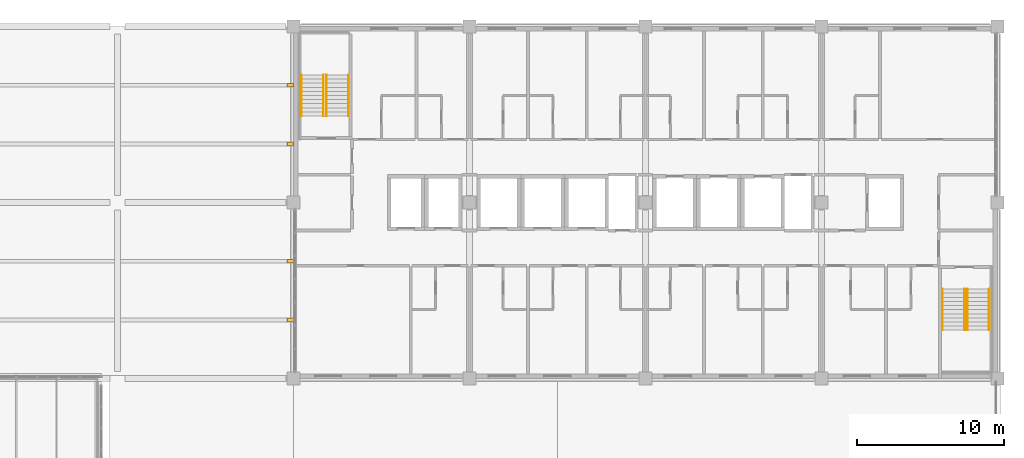
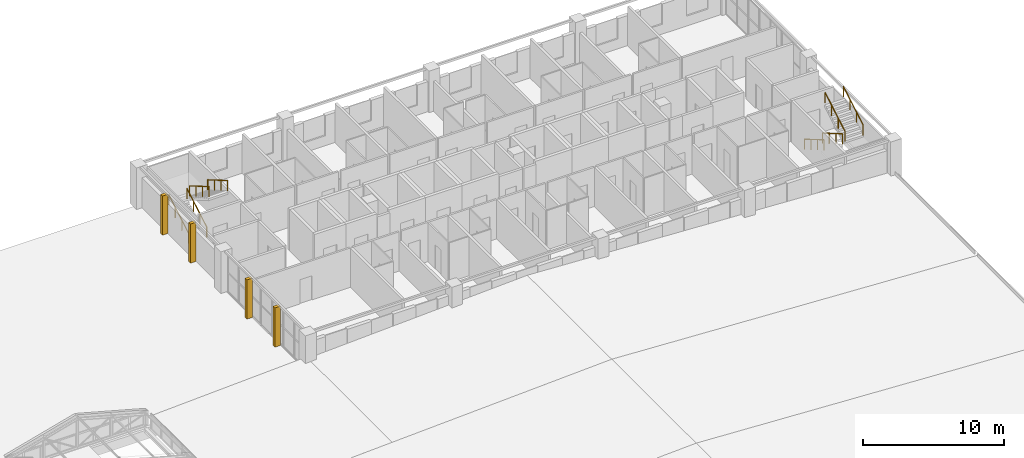
# One storey, part 94 of 94: 8 railings, 4 coverings.
"""IFC4 building model written with IfcOpenShell, lengths in metres."""

from ifc_helpers import new_model, si_unit, direction, frame, frame_2d, origin, origin_2d, place, context, subcontext, project, spatial, rectangle, circle, extrude, material, layer, layer_set, type_object, element, save


model = new_model("IFC4")

# Units and contexts
model_context = context("Model", 3, precision=1e-05, world=origin(), true_north=direction((0.0, 1.0)))
body_context = subcontext(model_context, "Body", "Model", "MODEL_VIEW")
ifc_project = project(units=[si_unit("LENGTHUNIT", "METRE"), si_unit("AREAUNIT", "SQUARE_METRE"), si_unit("VOLUMEUNIT", "CUBIC_METRE"), si_unit("PLANEANGLEUNIT", "RADIAN"), si_unit("MASSUNIT", "GRAM", prefix="KILO")], contexts=[model_context])

# Site, building, storey
site_placement = place(None, origin())
site = spatial("IfcSite", under=ifc_project, at=site_placement, CompositionType="ELEMENT")
building_placement = place(site_placement, origin())
building = spatial("IfcBuilding", under=site, at=building_placement, Name="Lilac Gate Convention Centre", CompositionType="ELEMENT")
storey_placement = place(building_placement, frame((0.0, 0.0, 21.0)))
storey = spatial("IfcBuildingStorey", under=building, at=storey_placement, Name="L04", CompositionType="ELEMENT", Elevation=21.0)

# Coverings
ifc_material_1 = material(Name="Concrete C40 precast", Category="concrete")
ifc_layer_1 = layer(ifc_material_1, 0.22998046875)
ifc_material_2 = material(Name="Terracotta glazed cladding", Category="masonry")
ifc_layer_2 = layer(ifc_material_2, 0.02001953125)
ifc_layer_set = layer_set([ifc_layer_1, ifc_layer_2], Name="Concrete C40 precast, Terracotta glazed cladding")
covering_type = type_object("IfcCoveringType", Name="Precast fin 250 x 450", PredefinedType="CLADDING", material=ifc_layer_set)
for number, where, z_axis, x_axis, name in (
    (1, (41.550048828125, 226.0, 0.0), (0.0, 0.0, 1.0), (1.0, 0.0, 0.0), "Precast fin west L04 226"),
    (2, (41.550048828125, 230.0, 0.0), (0.0, 0.0, 1.0), (1.0, 0.0, 0.0), "Precast fin west L04 230"),
    (3, (41.550048828125, 238.0, 0.0), (0.0, 0.0, 1.0), (1.0, 0.0, 0.0), "Precast fin west L04 238"),
    (4, (41.550048828125, 242.0, 0.0), (0.0, 0.0, 1.0), (1.0, 0.0, 0.0), "Precast fin west L04 242"),
):
    element("IfcCovering", number, at=place(storey_placement, frame(where, z_axis=z_axis, x_axis=x_axis)), inside=storey, type_object=covering_type, Name=name, PredefinedType="CLADDING", context=body_context, shape_type="SweptSolid", body=[
        extrude(rectangle(XDim=0.449951171875, YDim=0.25, at=frame_2d((0.22509765625, 0.0))), origin(), (0.0, 0.0, 1.0), 3.39990234375),
    ])

# Railings
ifc_material_3 = material(Name="Stainless steel 304", Category="steel")
railing_type = type_object("IfcRailingType", Name="Stair handrail", PredefinedType="HANDRAIL", material=ifc_material_3)
for number, where, name in (
    (5, (42.550048828125, 239.89990234375, 0.16357421875), "Handrail NW L04 flight 1"),
    (6, (44.050048828125, 239.89990234375, 0.16357421875), "Handrail NW L04 flight 1"),
):
    element("IfcRailing", number, at=place(storey_placement, frame(where)), inside=storey, type_object=railing_type, Name=name, PredefinedType="HANDRAIL", context=body_context, shape_type="SweptSolid", body=[
        extrude(circle(Radius=0.02392578125, at=origin_2d()), frame((0.0, 0.0, 0.8759765625), z_axis=(0.0, 0.863360870873, 0.504586966384), x_axis=(-1.0, 0.0, 0.0)), (0.0, 0.0, 1.0), 3.2431640625),
        extrude(circle(Radius=0.02099609375, at=origin_2d()), origin(), (0.0, 0.0, 1.0), 0.851806640625),
        extrude(circle(Radius=0.02099609375, at=origin_2d()), frame((0.0, 0.933349609375, 0.54541015625)), (0.0, 0.0, 1.0), 0.851806640625),
        extrude(circle(Radius=0.02099609375, at=origin_2d()), frame((0.0, 1.86669921875, 1.091064453125)), (0.0, 0.0, 1.0), 0.851806640625),
        extrude(circle(Radius=0.02099609375, at=origin_2d()), frame((0.0, 2.800048828125, 1.636474609375)), (0.0, 0.0, 1.0), 0.851806640625),
    ])
for number, where, name in (
    (7, (45.75, 242.699951171875, 1.963623046875), "Handrail NW L04 flight 2"),
    (8, (44.25, 242.699951171875, 1.963623046875), "Handrail NW L04 flight 2"),
    (9, (87.75, 228.10009765625, 0.16357421875), "Handrail SE L04 flight 1"),
    (10, (86.25, 228.10009765625, 0.16357421875), "Handrail SE L04 flight 1"),
):
    element("IfcRailing", number, at=place(storey_placement, frame(where)), inside=storey, type_object=railing_type, Name=name, PredefinedType="HANDRAIL", context=body_context, shape_type="SweptSolid", body=[
        extrude(circle(Radius=0.02392578125, at=origin_2d()), frame((0.0, 0.0, 0.8759765625), z_axis=(0.0, -0.863360870873, 0.504586966384), x_axis=(1.0, 0.0, 0.0)), (0.0, 0.0, 1.0), 3.2431640625),
        extrude(circle(Radius=0.02099609375, at=origin_2d()), origin(), (0.0, 0.0, 1.0), 0.851806640625),
        extrude(circle(Radius=0.02099609375, at=origin_2d()), frame((0.0, -0.933349609375, 0.54541015625)), (0.0, 0.0, 1.0), 0.851806640625),
        extrude(circle(Radius=0.02099609375, at=origin_2d()), frame((0.0, -1.86669921875, 1.091064453125)), (0.0, 0.0, 1.0), 0.851806640625),
        extrude(circle(Radius=0.02099609375, at=origin_2d()), frame((0.0, -2.800048828125, 1.636474609375)), (0.0, 0.0, 1.0), 0.851806640625),
    ])
for number, where, name in (
    (11, (87.949951171875, 225.300048828125, 1.963623046875), "Handrail SE L04 flight 2"),
    (12, (89.449951171875, 225.300048828125, 1.963623046875), "Handrail SE L04 flight 2"),
):
    element("IfcRailing", number, at=place(storey_placement, frame(where)), inside=storey, type_object=railing_type, Name=name, PredefinedType="HANDRAIL", context=body_context, shape_type="SweptSolid", body=[
        extrude(circle(Radius=0.02392578125, at=origin_2d()), frame((0.0, 0.0, 0.8759765625), z_axis=(0.0, 0.863360870873, 0.504586966384), x_axis=(-1.0, 0.0, 0.0)), (0.0, 0.0, 1.0), 3.2431640625),
        extrude(circle(Radius=0.02099609375, at=origin_2d()), origin(), (0.0, 0.0, 1.0), 0.851806640625),
        extrude(circle(Radius=0.02099609375, at=origin_2d()), frame((0.0, 0.933349609375, 0.54541015625)), (0.0, 0.0, 1.0), 0.851806640625),
        extrude(circle(Radius=0.02099609375, at=origin_2d()), frame((0.0, 1.86669921875, 1.091064453125)), (0.0, 0.0, 1.0), 0.851806640625),
        extrude(circle(Radius=0.02099609375, at=origin_2d()), frame((0.0, 2.800048828125, 1.636474609375)), (0.0, 0.0, 1.0), 0.851806640625),
    ])

save(model, "model.ifc")
